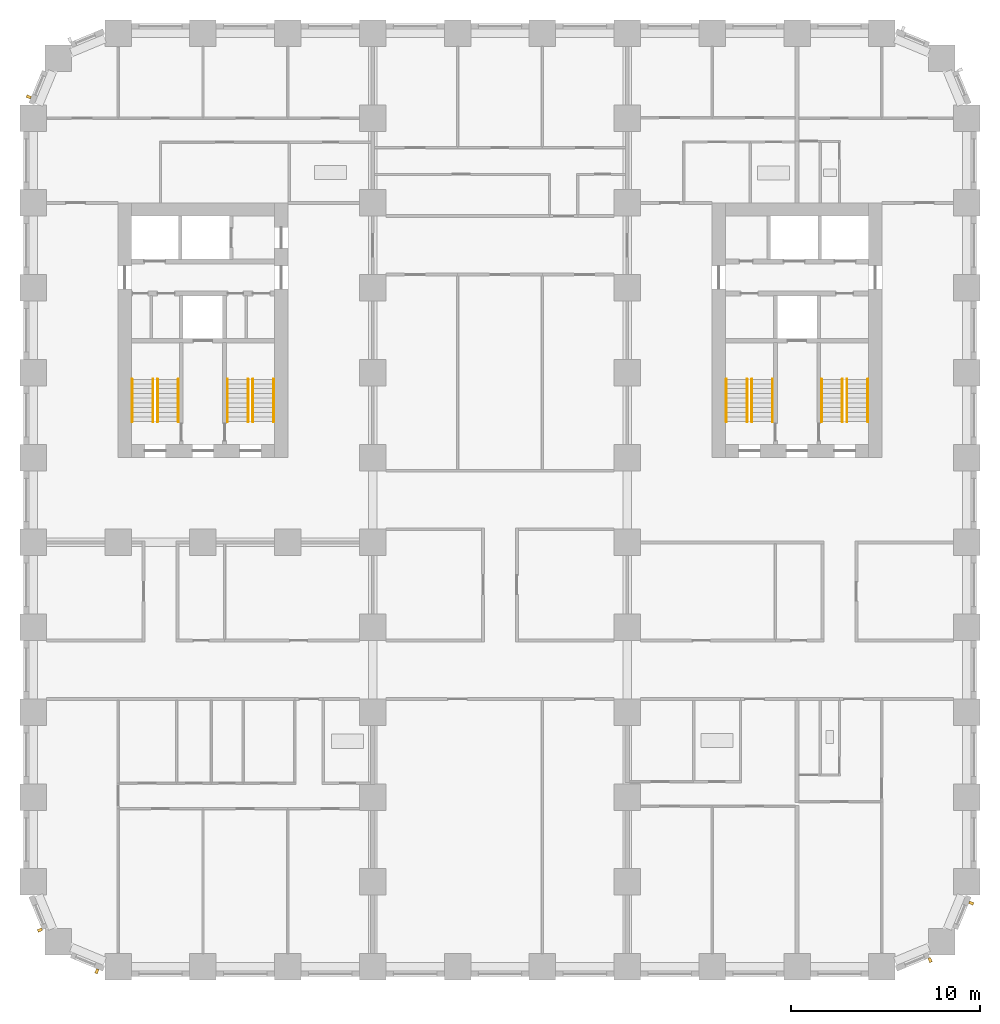
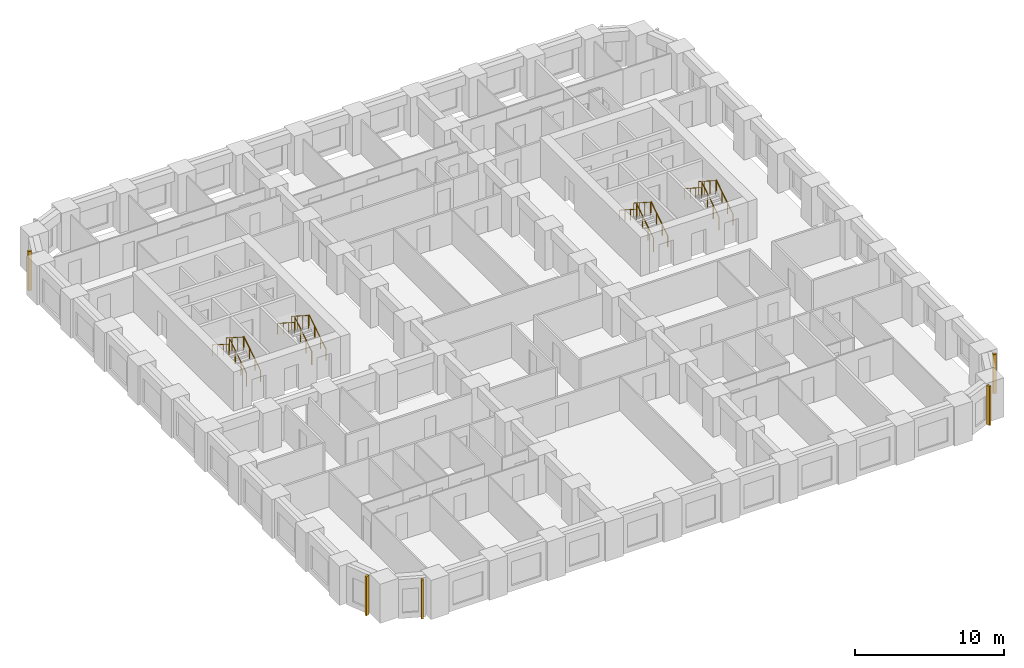
# One storey, part 11 of 13: 16 railings, 5 shading devices.
"""IFC4 building model written with IfcOpenShell, lengths in metres."""

from ifc_helpers import new_model, si_unit, direction, frame, origin, origin_2d, place, context, subcontext, project, spatial, rectangle, circle, extrude, material, type_object, element, save


model = new_model("IFC4")

# Units and contexts
model_context = context("Model", 3, precision=1e-05, world=origin(), true_north=direction((0.0, 1.0)))
body_context = subcontext(model_context, "Body", "Model", "MODEL_VIEW")
ifc_project = project(units=[si_unit("LENGTHUNIT", "METRE"), si_unit("AREAUNIT", "SQUARE_METRE"), si_unit("VOLUMEUNIT", "CUBIC_METRE"), si_unit("PLANEANGLEUNIT", "RADIAN"), si_unit("MASSUNIT", "GRAM", prefix="KILO")], contexts=[model_context])

# Site, building, storey
site_placement = place(None, origin())
site = spatial("IfcSite", under=ifc_project, at=site_placement, CompositionType="ELEMENT")
building_placement = place(site_placement, origin())
building = spatial("IfcBuilding", under=site, at=building_placement, Name="Girih Gate Residences", CompositionType="ELEMENT")
storey_placement = place(building_placement, frame((0.0, 0.0, 46.39990234375)))
storey = spatial("IfcBuildingStorey", under=building, at=storey_placement, Name="L11", CompositionType="ELEMENT", Elevation=46.39990234375)

# Shading devices
ifc_material_1 = material(Name="Precast concrete C50/60", Category="concrete")
shading_device_type = type_object("IfcShadingDeviceType", Name="Corner rib 150x250", PredefinedType="USERDEFINED", material=ifc_material_1)
for number, where, z_axis, x_axis, name in (
    (1, (0.35498046875, 1.9443359375, 0.0), (0.0, 0.0, 1.0), (0.382683432365, -0.923879532511, 0.0), "Corner rib SW0000_0045.0"),
    (2, (3.376220703125, -0.238037109375, 0.0), (0.0, 0.0, 1.0), (0.923879532511, -0.382683432365, 0.0), "Corner rib SW0013_0013.0"),
    (3, (47.5556640625, 0.35498046875, 0.0), (0.0, 0.0, 1.0), (0.923879532511, 0.382683432365, 0.0), "Corner rib SE0450_0000.0"),
    (4, (49.738037109375, 3.376220703125, 0.0), (0.0, 0.0, 1.0), (0.382683432365, 0.923879532511, 0.0), "Corner rib SE0482_0013.0"),
    (5, (-0.238037109375, 46.123779296875, 0.0), (0.0, 0.0, 1.0), (-0.382683432365, -0.923879532511, 0.0), "Corner rib NW0013_0482.0"),
):
    element("IfcShadingDevice", number, at=place(storey_placement, frame(where, z_axis=z_axis, x_axis=x_axis)), inside=storey, type_object=shading_device_type, Name=name, ObjectType="FIN", PredefinedType="USERDEFINED", context=body_context, shape_type="SweptSolid", body=[
        extrude(rectangle(XDim=0.14990234375, YDim=0.25, at=origin_2d()), origin(), (0.0, 0.0, 1.0), 3.199951171875),
    ])

# Railings
ifc_material_2 = material(Name="Stainless steel", Category="steel")
railing_type_1 = type_object("IfcRailingType", Name="Stair guard 1100", PredefinedType="GUARDRAIL", material=ifc_material_2)
railing_1_placement = place(storey_placement, frame((6.60009765625, 28.89990234375, 0.16015625)))
element("IfcRailing", 6, at=railing_1_placement, inside=storey, type_object=railing_type_1, Name="L11 ST-W1 stair guard 1", PredefinedType="GUARDRAIL", context=body_context, shape_type="SweptSolid", body=[
    extrude(circle(Radius=0.02392578125, at=origin_2d()), frame((0.0, 0.0, 1.076171875), z_axis=(0.0, 0.842281359387, 0.539038135598), x_axis=(-1.0, 0.0, 0.0)), (0.0, 0.0, 1.0), 2.67138671875),
    extrude(circle(Radius=0.02099609375, at=origin_2d()), origin(), (0.0, 0.0, 1.0), 1.052001953125),
    extrude(circle(Radius=0.02099609375, at=origin_2d()), frame((0.0, 0.75, 0.47998046875)), (0.0, 0.0, 1.0), 1.052001953125),
    extrude(circle(Radius=0.02099609375, at=origin_2d()), frame((0.0, 1.5, 0.9599609375)), (0.0, 0.0, 1.0), 1.052001953125),
    extrude(circle(Radius=0.02099609375, at=origin_2d()), frame((0.0, 2.25, 1.43994140625)), (0.0, 0.0, 1.0), 1.052001953125),
])
railing_2_placement = place(storey_placement, frame((6.35009765625, 31.14990234375, 1.760009765625)))
element("IfcRailing", 7, at=railing_2_placement, inside=storey, type_object=railing_type_1, Name="L11 ST-W1 stair guard 2", PredefinedType="GUARDRAIL", context=body_context, shape_type="SweptSolid", body=[
    extrude(circle(Radius=0.02392578125, at=origin_2d()), frame((0.0, 0.0, 1.076171875), z_axis=(0.0, -0.842239864353, 0.539102968731), x_axis=(1.0, 0.0, 0.0)), (0.0, 0.0, 1.0), 2.67138671875),
    extrude(circle(Radius=0.02099609375, at=origin_2d()), origin(), (0.0, 0.0, 1.0), 1.052001953125),
    extrude(circle(Radius=0.02099609375, at=origin_2d()), frame((0.0, -0.75, 0.47998046875)), (0.0, 0.0, 1.0), 1.052001953125),
    extrude(circle(Radius=0.02099609375, at=origin_2d()), frame((0.0, -1.5, 0.960205078125)), (0.0, 0.0, 1.0), 1.052001953125),
    extrude(circle(Radius=0.02099609375, at=origin_2d()), frame((0.0, -2.25, 1.440185546875)), (0.0, 0.0, 1.0), 1.052001953125),
])
railing_3_placement = place(storey_placement, frame((11.64990234375, 28.89990234375, 0.16015625)))
element("IfcRailing", 8, at=railing_3_placement, inside=storey, type_object=railing_type_1, Name="L11 ST-W2 stair guard 1", PredefinedType="GUARDRAIL", context=body_context, shape_type="SweptSolid", body=[
    extrude(circle(Radius=0.02392578125, at=origin_2d()), frame((0.0, 0.0, 1.076171875), z_axis=(0.0, 0.842281359387, 0.539038135598), x_axis=(-1.0, 0.0, 0.0)), (0.0, 0.0, 1.0), 2.67138671875),
    extrude(circle(Radius=0.02099609375, at=origin_2d()), origin(), (0.0, 0.0, 1.0), 1.052001953125),
    extrude(circle(Radius=0.02099609375, at=origin_2d()), frame((0.0, 0.75, 0.47998046875)), (0.0, 0.0, 1.0), 1.052001953125),
    extrude(circle(Radius=0.02099609375, at=origin_2d()), frame((0.0, 1.5, 0.9599609375)), (0.0, 0.0, 1.0), 1.052001953125),
    extrude(circle(Radius=0.02099609375, at=origin_2d()), frame((0.0, 2.25, 1.43994140625)), (0.0, 0.0, 1.0), 1.052001953125),
])
railing_4_placement = place(storey_placement, frame((11.39990234375, 31.14990234375, 1.760009765625)))
element("IfcRailing", 9, at=railing_4_placement, inside=storey, type_object=railing_type_1, Name="L11 ST-W2 stair guard 2", PredefinedType="GUARDRAIL", context=body_context, shape_type="SweptSolid", body=[
    extrude(circle(Radius=0.02392578125, at=origin_2d()), frame((0.0, 0.0, 1.076171875), z_axis=(0.0, -0.842239864353, 0.539102968731), x_axis=(1.0, 0.0, 0.0)), (0.0, 0.0, 1.0), 2.67138671875),
    extrude(circle(Radius=0.02099609375, at=origin_2d()), origin(), (0.0, 0.0, 1.0), 1.052001953125),
    extrude(circle(Radius=0.02099609375, at=origin_2d()), frame((0.0, -0.75, 0.47998046875)), (0.0, 0.0, 1.0), 1.052001953125),
    extrude(circle(Radius=0.02099609375, at=origin_2d()), frame((0.0, -1.5, 0.960205078125)), (0.0, 0.0, 1.0), 1.052001953125),
    extrude(circle(Radius=0.02099609375, at=origin_2d()), frame((0.0, -2.25, 1.440185546875)), (0.0, 0.0, 1.0), 1.052001953125),
])
railing_5_placement = place(storey_placement, frame((43.14990234375, 28.89990234375, 0.16015625)))
element("IfcRailing", 10, at=railing_5_placement, inside=storey, type_object=railing_type_1, Name="L11 ST-E1 stair guard 1", PredefinedType="GUARDRAIL", context=body_context, shape_type="SweptSolid", body=[
    extrude(circle(Radius=0.02392578125, at=origin_2d()), frame((0.0, 0.0, 1.076171875), z_axis=(0.0, 0.842281359387, 0.539038135598), x_axis=(-1.0, 0.0, 0.0)), (0.0, 0.0, 1.0), 2.67138671875),
    extrude(circle(Radius=0.02099609375, at=origin_2d()), origin(), (0.0, 0.0, 1.0), 1.052001953125),
    extrude(circle(Radius=0.02099609375, at=origin_2d()), frame((0.0, 0.75, 0.47998046875)), (0.0, 0.0, 1.0), 1.052001953125),
    extrude(circle(Radius=0.02099609375, at=origin_2d()), frame((0.0, 1.5, 0.9599609375)), (0.0, 0.0, 1.0), 1.052001953125),
    extrude(circle(Radius=0.02099609375, at=origin_2d()), frame((0.0, 2.25, 1.43994140625)), (0.0, 0.0, 1.0), 1.052001953125),
])
railing_6_placement = place(storey_placement, frame((42.89990234375, 31.14990234375, 1.760009765625)))
element("IfcRailing", 11, at=railing_6_placement, inside=storey, type_object=railing_type_1, Name="L11 ST-E1 stair guard 2", PredefinedType="GUARDRAIL", context=body_context, shape_type="SweptSolid", body=[
    extrude(circle(Radius=0.02392578125, at=origin_2d()), frame((0.0, 0.0, 1.076171875), z_axis=(0.0, -0.842239864353, 0.539102968731), x_axis=(1.0, 0.0, 0.0)), (0.0, 0.0, 1.0), 2.67138671875),
    extrude(circle(Radius=0.02099609375, at=origin_2d()), origin(), (0.0, 0.0, 1.0), 1.052001953125),
    extrude(circle(Radius=0.02099609375, at=origin_2d()), frame((0.0, -0.75, 0.47998046875)), (0.0, 0.0, 1.0), 1.052001953125),
    extrude(circle(Radius=0.02099609375, at=origin_2d()), frame((0.0, -1.5, 0.960205078125)), (0.0, 0.0, 1.0), 1.052001953125),
    extrude(circle(Radius=0.02099609375, at=origin_2d()), frame((0.0, -2.25, 1.440185546875)), (0.0, 0.0, 1.0), 1.052001953125),
])
railing_7_placement = place(storey_placement, frame((38.10009765625, 28.89990234375, 0.16015625)))
element("IfcRailing", 12, at=railing_7_placement, inside=storey, type_object=railing_type_1, Name="L11 ST-E2 stair guard 1", PredefinedType="GUARDRAIL", context=body_context, shape_type="SweptSolid", body=[
    extrude(circle(Radius=0.02392578125, at=origin_2d()), frame((0.0, 0.0, 1.076171875), z_axis=(0.0, 0.842281359387, 0.539038135598), x_axis=(-1.0, 0.0, 0.0)), (0.0, 0.0, 1.0), 2.67138671875),
    extrude(circle(Radius=0.02099609375, at=origin_2d()), origin(), (0.0, 0.0, 1.0), 1.052001953125),
    extrude(circle(Radius=0.02099609375, at=origin_2d()), frame((0.0, 0.75, 0.47998046875)), (0.0, 0.0, 1.0), 1.052001953125),
    extrude(circle(Radius=0.02099609375, at=origin_2d()), frame((0.0, 1.5, 0.9599609375)), (0.0, 0.0, 1.0), 1.052001953125),
    extrude(circle(Radius=0.02099609375, at=origin_2d()), frame((0.0, 2.25, 1.43994140625)), (0.0, 0.0, 1.0), 1.052001953125),
])
railing_8_placement = place(storey_placement, frame((37.85009765625, 31.14990234375, 1.760009765625)))
element("IfcRailing", 13, at=railing_8_placement, inside=storey, type_object=railing_type_1, Name="L11 ST-E2 stair guard 2", PredefinedType="GUARDRAIL", context=body_context, shape_type="SweptSolid", body=[
    extrude(circle(Radius=0.02392578125, at=origin_2d()), frame((0.0, 0.0, 1.076171875), z_axis=(0.0, -0.842239864353, 0.539102968731), x_axis=(1.0, 0.0, 0.0)), (0.0, 0.0, 1.0), 2.67138671875),
    extrude(circle(Radius=0.02099609375, at=origin_2d()), origin(), (0.0, 0.0, 1.0), 1.052001953125),
    extrude(circle(Radius=0.02099609375, at=origin_2d()), frame((0.0, -0.75, 0.47998046875)), (0.0, 0.0, 1.0), 1.052001953125),
    extrude(circle(Radius=0.02099609375, at=origin_2d()), frame((0.0, -1.5, 0.960205078125)), (0.0, 0.0, 1.0), 1.052001953125),
    extrude(circle(Radius=0.02099609375, at=origin_2d()), frame((0.0, -2.25, 1.440185546875)), (0.0, 0.0, 1.0), 1.052001953125),
])
railing_type_2 = type_object("IfcRailingType", Name="Stair handrail 900", PredefinedType="HANDRAIL", material=ifc_material_2)
railing_9_placement = place(storey_placement, frame((7.699951171875, 28.89990234375, 0.16015625)))
element("IfcRailing", 14, at=railing_9_placement, inside=storey, type_object=railing_type_2, Name="L11 ST-W1 stair handrail 1", PredefinedType="HANDRAIL", context=body_context, shape_type="SweptSolid", body=[
    extrude(circle(Radius=0.02392578125, at=origin_2d()), frame((0.0, 0.0, 0.8857421875), z_axis=(0.0, 0.842281359387, 0.539038135598), x_axis=(-1.0, 0.0, 0.0)), (0.0, 0.0, 1.0), 2.67138671875),
    extrude(circle(Radius=0.02099609375, at=origin_2d()), origin(), (0.0, 0.0, 1.0), 0.86181640625),
    extrude(circle(Radius=0.02099609375, at=origin_2d()), frame((0.0, 0.75, 0.47998046875)), (0.0, 0.0, 1.0), 0.86181640625),
    extrude(circle(Radius=0.02099609375, at=origin_2d()), frame((0.0, 1.5, 0.9599609375)), (0.0, 0.0, 1.0), 0.86181640625),
    extrude(circle(Radius=0.02099609375, at=origin_2d()), frame((0.0, 2.25, 1.43994140625)), (0.0, 0.0, 1.0), 0.86181640625),
])
railing_10_placement = place(storey_placement, frame((5.25, 31.14990234375, 1.760009765625)))
element("IfcRailing", 15, at=railing_10_placement, inside=storey, type_object=railing_type_2, Name="L11 ST-W1 stair handrail 2", PredefinedType="HANDRAIL", context=body_context, shape_type="SweptSolid", body=[
    extrude(circle(Radius=0.02392578125, at=origin_2d()), frame((0.0, 0.0, 0.8857421875), z_axis=(0.0, -0.842239864353, 0.539102968731), x_axis=(1.0, 0.0, 0.0)), (0.0, 0.0, 1.0), 2.67138671875),
    extrude(circle(Radius=0.02099609375, at=origin_2d()), origin(), (0.0, 0.0, 1.0), 0.86181640625),
    extrude(circle(Radius=0.02099609375, at=origin_2d()), frame((0.0, -0.75, 0.47998046875)), (0.0, 0.0, 1.0), 0.86181640625),
    extrude(circle(Radius=0.02099609375, at=origin_2d()), frame((0.0, -1.5, 0.960205078125)), (0.0, 0.0, 1.0), 0.86181640625),
    extrude(circle(Radius=0.02099609375, at=origin_2d()), frame((0.0, -2.25, 1.440185546875)), (0.0, 0.0, 1.0), 0.86181640625),
])
railing_11_placement = place(storey_placement, frame((12.75, 28.89990234375, 0.16015625)))
element("IfcRailing", 16, at=railing_11_placement, inside=storey, type_object=railing_type_2, Name="L11 ST-W2 stair handrail 1", PredefinedType="HANDRAIL", context=body_context, shape_type="SweptSolid", body=[
    extrude(circle(Radius=0.02392578125, at=origin_2d()), frame((0.0, 0.0, 0.8857421875), z_axis=(0.0, 0.842281359387, 0.539038135598), x_axis=(-1.0, 0.0, 0.0)), (0.0, 0.0, 1.0), 2.67138671875),
    extrude(circle(Radius=0.02099609375, at=origin_2d()), origin(), (0.0, 0.0, 1.0), 0.86181640625),
    extrude(circle(Radius=0.02099609375, at=origin_2d()), frame((0.0, 0.75, 0.47998046875)), (0.0, 0.0, 1.0), 0.86181640625),
    extrude(circle(Radius=0.02099609375, at=origin_2d()), frame((0.0, 1.5, 0.9599609375)), (0.0, 0.0, 1.0), 0.86181640625),
    extrude(circle(Radius=0.02099609375, at=origin_2d()), frame((0.0, 2.25, 1.43994140625)), (0.0, 0.0, 1.0), 0.86181640625),
])
railing_12_placement = place(storey_placement, frame((10.300048828125, 31.14990234375, 1.760009765625)))
element("IfcRailing", 17, at=railing_12_placement, inside=storey, type_object=railing_type_2, Name="L11 ST-W2 stair handrail 2", PredefinedType="HANDRAIL", context=body_context, shape_type="SweptSolid", body=[
    extrude(circle(Radius=0.02392578125, at=origin_2d()), frame((0.0, 0.0, 0.8857421875), z_axis=(0.0, -0.842239864353, 0.539102968731), x_axis=(1.0, 0.0, 0.0)), (0.0, 0.0, 1.0), 2.67138671875),
    extrude(circle(Radius=0.02099609375, at=origin_2d()), origin(), (0.0, 0.0, 1.0), 0.86181640625),
    extrude(circle(Radius=0.02099609375, at=origin_2d()), frame((0.0, -0.75, 0.47998046875)), (0.0, 0.0, 1.0), 0.86181640625),
    extrude(circle(Radius=0.02099609375, at=origin_2d()), frame((0.0, -1.5, 0.960205078125)), (0.0, 0.0, 1.0), 0.86181640625),
    extrude(circle(Radius=0.02099609375, at=origin_2d()), frame((0.0, -2.25, 1.440185546875)), (0.0, 0.0, 1.0), 0.86181640625),
])
railing_13_placement = place(storey_placement, frame((44.25, 28.89990234375, 0.16015625)))
element("IfcRailing", 18, at=railing_13_placement, inside=storey, type_object=railing_type_2, Name="L11 ST-E1 stair handrail 1", PredefinedType="HANDRAIL", context=body_context, shape_type="SweptSolid", body=[
    extrude(circle(Radius=0.02392578125, at=origin_2d()), frame((0.0, 0.0, 0.8857421875), z_axis=(0.0, 0.842281359387, 0.539038135598), x_axis=(-1.0, 0.0, 0.0)), (0.0, 0.0, 1.0), 2.67138671875),
    extrude(circle(Radius=0.02099609375, at=origin_2d()), origin(), (0.0, 0.0, 1.0), 0.86181640625),
    extrude(circle(Radius=0.02099609375, at=origin_2d()), frame((0.0, 0.75, 0.47998046875)), (0.0, 0.0, 1.0), 0.86181640625),
    extrude(circle(Radius=0.02099609375, at=origin_2d()), frame((0.0, 1.5, 0.9599609375)), (0.0, 0.0, 1.0), 0.86181640625),
    extrude(circle(Radius=0.02099609375, at=origin_2d()), frame((0.0, 2.25, 1.43994140625)), (0.0, 0.0, 1.0), 0.86181640625),
])
railing_14_placement = place(storey_placement, frame((41.800048828125, 31.14990234375, 1.760009765625)))
element("IfcRailing", 19, at=railing_14_placement, inside=storey, type_object=railing_type_2, Name="L11 ST-E1 stair handrail 2", PredefinedType="HANDRAIL", context=body_context, shape_type="SweptSolid", body=[
    extrude(circle(Radius=0.02392578125, at=origin_2d()), frame((0.0, 0.0, 0.8857421875), z_axis=(0.0, -0.842239864353, 0.539102968731), x_axis=(1.0, 0.0, 0.0)), (0.0, 0.0, 1.0), 2.67138671875),
    extrude(circle(Radius=0.02099609375, at=origin_2d()), origin(), (0.0, 0.0, 1.0), 0.86181640625),
    extrude(circle(Radius=0.02099609375, at=origin_2d()), frame((0.0, -0.75, 0.47998046875)), (0.0, 0.0, 1.0), 0.86181640625),
    extrude(circle(Radius=0.02099609375, at=origin_2d()), frame((0.0, -1.5, 0.960205078125)), (0.0, 0.0, 1.0), 0.86181640625),
    extrude(circle(Radius=0.02099609375, at=origin_2d()), frame((0.0, -2.25, 1.440185546875)), (0.0, 0.0, 1.0), 0.86181640625),
])
railing_15_placement = place(storey_placement, frame((39.199951171875, 28.89990234375, 0.16015625)))
element("IfcRailing", 20, at=railing_15_placement, inside=storey, type_object=railing_type_2, Name="L11 ST-E2 stair handrail 1", PredefinedType="HANDRAIL", context=body_context, shape_type="SweptSolid", body=[
    extrude(circle(Radius=0.02392578125, at=origin_2d()), frame((0.0, 0.0, 0.8857421875), z_axis=(0.0, 0.842281359387, 0.539038135598), x_axis=(-1.0, 0.0, 0.0)), (0.0, 0.0, 1.0), 2.67138671875),
    extrude(circle(Radius=0.02099609375, at=origin_2d()), origin(), (0.0, 0.0, 1.0), 0.86181640625),
    extrude(circle(Radius=0.02099609375, at=origin_2d()), frame((0.0, 0.75, 0.47998046875)), (0.0, 0.0, 1.0), 0.86181640625),
    extrude(circle(Radius=0.02099609375, at=origin_2d()), frame((0.0, 1.5, 0.9599609375)), (0.0, 0.0, 1.0), 0.86181640625),
    extrude(circle(Radius=0.02099609375, at=origin_2d()), frame((0.0, 2.25, 1.43994140625)), (0.0, 0.0, 1.0), 0.86181640625),
])
railing_16_placement = place(storey_placement, frame((36.75, 31.14990234375, 1.760009765625)))
element("IfcRailing", 21, at=railing_16_placement, inside=storey, type_object=railing_type_2, Name="L11 ST-E2 stair handrail 2", PredefinedType="HANDRAIL", context=body_context, shape_type="SweptSolid", body=[
    extrude(circle(Radius=0.02392578125, at=origin_2d()), frame((0.0, 0.0, 0.8857421875), z_axis=(0.0, -0.842239864353, 0.539102968731), x_axis=(1.0, 0.0, 0.0)), (0.0, 0.0, 1.0), 2.67138671875),
    extrude(circle(Radius=0.02099609375, at=origin_2d()), origin(), (0.0, 0.0, 1.0), 0.86181640625),
    extrude(circle(Radius=0.02099609375, at=origin_2d()), frame((0.0, -0.75, 0.47998046875)), (0.0, 0.0, 1.0), 0.86181640625),
    extrude(circle(Radius=0.02099609375, at=origin_2d()), frame((0.0, -1.5, 0.960205078125)), (0.0, 0.0, 1.0), 0.86181640625),
    extrude(circle(Radius=0.02099609375, at=origin_2d()), frame((0.0, -2.25, 1.440185546875)), (0.0, 0.0, 1.0), 0.86181640625),
])

save(model, "model.ifc")
